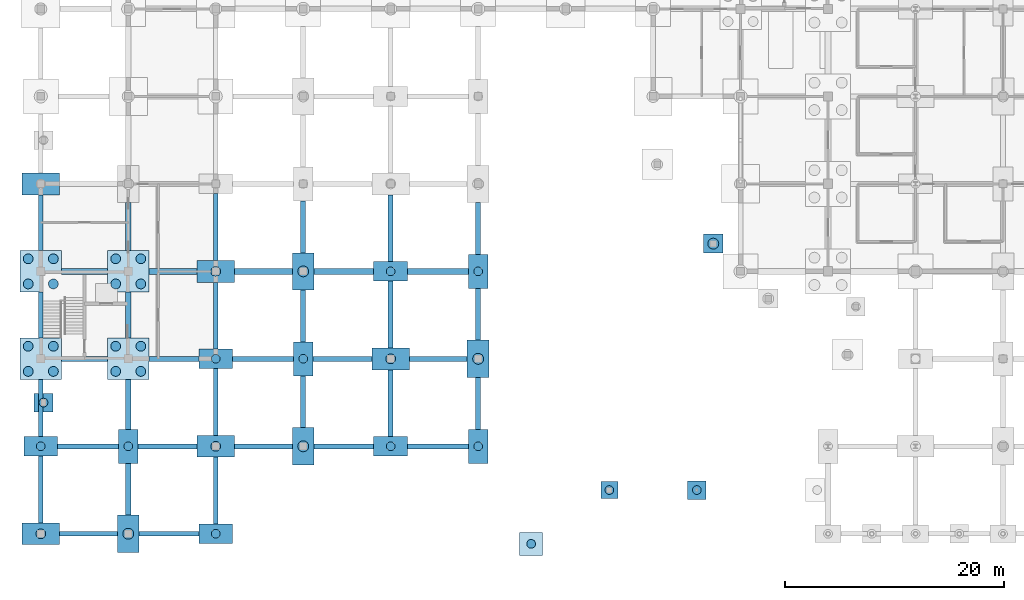
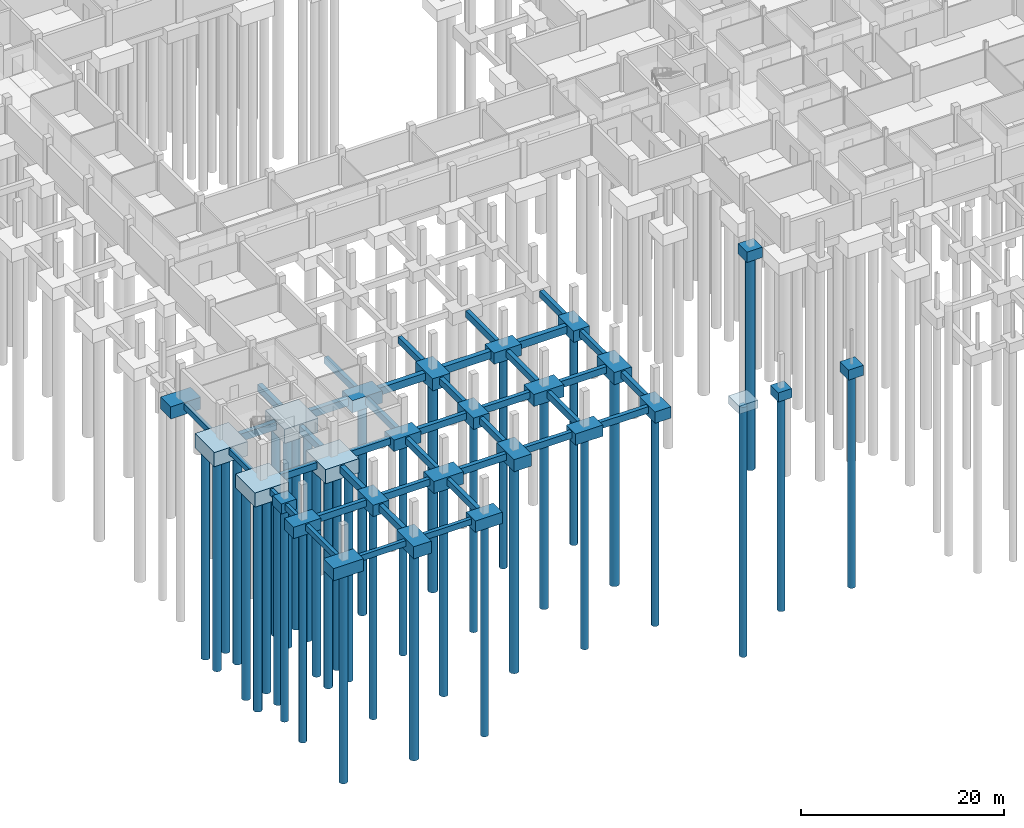
# One storey, part 1 of 48: 65 footings, 38 piles.
"""IFC4 building model written with IfcOpenShell, lengths in metres."""

from ifc_helpers import new_model, si_unit, derived_unit, direction, frame, origin, origin_2d, place, context, subcontext, project, spatial, rectangle, circle, extrude, material, material_profile, profile_set, type_object, element, save


model = new_model("IFC4")

# Units and contexts
model_context = context("Model", 3, precision=1e-05, world=origin(), true_north=direction((0.0, 1.0)))
body_context = subcontext(model_context, "Body", "Model", "MODEL_VIEW")
ifc_project = project(units=[si_unit("LENGTHUNIT", "METRE"), si_unit("AREAUNIT", "SQUARE_METRE"), si_unit("VOLUMEUNIT", "CUBIC_METRE"), si_unit("PLANEANGLEUNIT", "RADIAN"), si_unit("MASSUNIT", "GRAM", prefix="KILO"), derived_unit("THERMALTRANSMITTANCEUNIT", [(si_unit("MASSUNIT", "GRAM", prefix="KILO"), 1), (si_unit("TIMEUNIT", "SECOND"), -3), (si_unit("THERMODYNAMICTEMPERATUREUNIT", "KELVIN"), -1)])], contexts=[model_context])

# Site, building, storey
site_placement = place(None, origin())
site = spatial("IfcSite", under=ifc_project, at=site_placement, CompositionType="ELEMENT")
building_placement = place(site_placement, origin())
building = spatial("IfcBuilding", under=site, at=building_placement, Name="Veyamyaing Civic Hall", CompositionType="ELEMENT")
storey_placement = place(building_placement, frame((0.0, 0.0, -4.2900390625)))
storey = spatial("IfcBuildingStorey", under=building, at=storey_placement, Name="B1", CompositionType="ELEMENT", Elevation=-4.2900390625)

# Footings
ifc_material_1 = material(Name="Concrete C40/50", Category="concrete")
ifc_material_profile_1 = material_profile(ifc_material_1, rectangle(XDim=0.5, YDim=0.85009765625, at=origin_2d()), Name="GB-500X850")
ifc_profile_set_1 = profile_set([ifc_material_profile_1], Name="Concrete C40/50")
footing_type_1 = type_object("IfcFootingType", Name="GB-01", PredefinedType="FOOTING_BEAM", material=ifc_profile_set_1)
footing_1_placement = place(storey_placement, frame((8.0, 1.699951171875, -0.574951171875), z_axis=(0.0, 1.0, 0.0), x_axis=(-1.0, 0.0, 0.0)))
element("IfcFooting", 1, at=footing_1_placement, inside=storey, type_object=footing_type_1, Name="Footing tie beam GB-01 Y 1-0", PredefinedType="FOOTING_BEAM", context=body_context, shape_type="SweptSolid", body=[
    extrude(rectangle(XDim=0.5, YDim=0.85009765625, at=origin_2d()), origin(), (0.0, 0.0, 1.0), 4.75),
])
footing_2_placement = place(storey_placement, frame((8.0, 9.550048828125, -0.574951171875), z_axis=(0.0, 1.0, 0.0), x_axis=(-1.0, 0.0, 0.0)))
element("IfcFooting", 2, at=footing_2_placement, inside=storey, type_object=footing_type_1, Name="Footing tie beam GB-01 Y 1-1", PredefinedType="FOOTING_BEAM", context=body_context, shape_type="SweptSolid", body=[
    extrude(rectangle(XDim=0.5, YDim=0.85009765625, at=origin_2d()), origin(), (0.0, 0.0, 1.0), 4.550048828125),
])
footing_3_placement = place(storey_placement, frame((8.0, 17.89990234375, -0.574951171875), z_axis=(0.0, 1.0, 0.0), x_axis=(-1.0, 0.0, 0.0)))
element("IfcFooting", 3, at=footing_3_placement, inside=storey, type_object=footing_type_1, Name="Footing tie beam GB-01 Y 1-2", PredefinedType="FOOTING_BEAM", context=body_context, shape_type="SweptSolid", body=[
    extrude(rectangle(XDim=0.5, YDim=0.85009765625, at=origin_2d()), origin(), (0.0, 0.0, 1.0), 4.2001953125),
])
footing_4_placement = place(storey_placement, frame((8.0, 25.89990234375, -0.574951171875), z_axis=(0.0, 1.0, 0.0), x_axis=(-1.0, 0.0, 0.0)))
element("IfcFooting", 4, at=footing_4_placement, inside=storey, type_object=footing_type_1, Name="Footing tie beam GB-01 Y 1-3", PredefinedType="FOOTING_BEAM", context=body_context, shape_type="SweptSolid", body=[
    extrude(rectangle(XDim=0.5, YDim=0.85009765625, at=origin_2d()), origin(), (0.0, 0.0, 1.0), 4.400146484375),
])
ifc_material_profile_2 = material_profile(ifc_material_1, rectangle(XDim=0.449951171875, YDim=0.800048828125, at=origin_2d()), Name="GB-450X800")
ifc_profile_set_2 = profile_set([ifc_material_profile_2], Name="Concrete C40/50")
footing_type_2 = type_object("IfcFootingType", Name="GB-02", PredefinedType="FOOTING_BEAM", material=ifc_profile_set_2)
footing_5_placement = place(storey_placement, frame((1.550048828125, 8.0, -0.550048828125), z_axis=(1.0, 0.0, 0.0), x_axis=(0.0, 1.0, 0.0)))
element("IfcFooting", 5, at=footing_5_placement, inside=storey, type_object=footing_type_2, Name="Footing tie beam GB-02 X 0-1", PredefinedType="FOOTING_BEAM", context=body_context, shape_type="SweptSolid", body=[
    extrude(rectangle(XDim=0.449951171875, YDim=0.800048828125, at=origin_2d()), origin(), (0.0, 0.0, 1.0), 5.550048828125),
])
footing_6_placement = place(storey_placement, frame((1.89990234375, 16.0, -0.550048828125), z_axis=(1.0, 0.0, 0.0), x_axis=(0.0, 1.0, 0.0)))
element("IfcFooting", 6, at=footing_6_placement, inside=storey, type_object=footing_type_2, Name="Footing tie beam GB-02 X 0-2", PredefinedType="FOOTING_BEAM", context=body_context, shape_type="SweptSolid", body=[
    extrude(rectangle(XDim=0.449951171875, YDim=0.800048828125, at=origin_2d()), origin(), (0.0, 0.0, 1.0), 4.2001953125),
])
footing_7_placement = place(storey_placement, frame((8.89990234375, 8.0, -0.550048828125), z_axis=(1.0, 0.0, 0.0), x_axis=(0.0, 1.0, 0.0)))
element("IfcFooting", 7, at=footing_7_placement, inside=storey, type_object=footing_type_2, Name="Footing tie beam GB-02 X 1-1", PredefinedType="FOOTING_BEAM", context=body_context, shape_type="SweptSolid", body=[
    extrude(rectangle(XDim=0.449951171875, YDim=0.800048828125, at=origin_2d()), origin(), (0.0, 0.0, 1.0), 5.400146484375),
])
footing_8_placement = place(storey_placement, frame((9.89990234375, 16.0, -0.550048828125), z_axis=(1.0, 0.0, 0.0), x_axis=(0.0, 1.0, 0.0)))
element("IfcFooting", 8, at=footing_8_placement, inside=storey, type_object=footing_type_2, Name="Footing tie beam GB-02 X 1-2", PredefinedType="FOOTING_BEAM", context=body_context, shape_type="SweptSolid", body=[
    extrude(rectangle(XDim=0.449951171875, YDim=0.800048828125, at=origin_2d()), origin(), (0.0, 0.0, 1.0), 4.550048828125),
])
footing_9_placement = place(storey_placement, frame((16.0, 0.89990234375, -0.550048828125), z_axis=(0.0, 1.0, 0.0), x_axis=(-1.0, 0.0, 0.0)))
element("IfcFooting", 9, at=footing_9_placement, inside=storey, type_object=footing_type_2, Name="Footing tie beam GB-02 Y 2-0", PredefinedType="FOOTING_BEAM", context=body_context, shape_type="SweptSolid", body=[
    extrude(rectangle(XDim=0.449951171875, YDim=0.800048828125, at=origin_2d()), origin(), (0.0, 0.0, 1.0), 6.10009765625),
])
footing_10_placement = place(storey_placement, frame((17.699951171875, 8.0, -0.550048828125), z_axis=(1.0, 0.0, 0.0), x_axis=(0.0, 1.0, 0.0)))
element("IfcFooting", 10, at=footing_10_placement, inside=storey, type_object=footing_type_2, Name="Footing tie beam GB-02 X 2-1", PredefinedType="FOOTING_BEAM", context=body_context, shape_type="SweptSolid", body=[
    extrude(rectangle(XDim=0.449951171875, YDim=0.800048828125, at=origin_2d()), origin(), (0.0, 0.0, 1.0), 5.300048828125),
])
footing_11_placement = place(storey_placement, frame((16.0, 9.0, -0.550048828125), z_axis=(0.0, 1.0, 0.0), x_axis=(-1.0, 0.0, 0.0)))
element("IfcFooting", 11, at=footing_11_placement, inside=storey, type_object=footing_type_2, Name="Footing tie beam GB-02 Y 2-1", PredefinedType="FOOTING_BEAM", context=body_context, shape_type="SweptSolid", body=[
    extrude(rectangle(XDim=0.449951171875, YDim=0.800048828125, at=origin_2d()), origin(), (0.0, 0.0, 1.0), 6.10009765625),
])
footing_12_placement = place(storey_placement, frame((17.550048828125, 16.0, -0.550048828125), z_axis=(1.0, 0.0, 0.0), x_axis=(0.0, 1.0, 0.0)))
element("IfcFooting", 12, at=footing_12_placement, inside=storey, type_object=footing_type_2, Name="Footing tie beam GB-02 X 2-2", PredefinedType="FOOTING_BEAM", context=body_context, shape_type="SweptSolid", body=[
    extrude(rectangle(XDim=0.449951171875, YDim=0.800048828125, at=origin_2d()), origin(), (0.0, 0.0, 1.0), 5.550048828125),
])
for number, where, z_axis, x_axis, name in (
    (13, (16.0, 16.89990234375, -0.550048828125), (0.0, 1.0, 0.0), (-1.0, 0.0, 0.0), "Footing tie beam GB-02 Y 2-2"),
    (14, (16.0, 25.0, -0.550048828125), (0.0, 1.0, 0.0), (-1.0, 0.0, 0.0), "Footing tie beam GB-02 Y 2-3"),
):
    element("IfcFooting", number, at=place(storey_placement, frame(where, z_axis=z_axis, x_axis=x_axis)), inside=storey, type_object=footing_type_2, Name=name, PredefinedType="FOOTING_BEAM", context=body_context, shape_type="SweptSolid", body=[
        extrude(rectangle(XDim=0.449951171875, YDim=0.800048828125, at=origin_2d()), origin(), (0.0, 0.0, 1.0), 6.10009765625),
    ])
footing_13_placement = place(storey_placement, frame((25.0, 8.0, -0.550048828125), z_axis=(1.0, 0.0, 0.0), x_axis=(0.0, 1.0, 0.0)))
element("IfcFooting", 15, at=footing_13_placement, inside=storey, type_object=footing_type_2, Name="Footing tie beam GB-02 X 3-1", PredefinedType="FOOTING_BEAM", context=body_context, shape_type="SweptSolid", body=[
    extrude(rectangle(XDim=0.449951171875, YDim=0.800048828125, at=origin_2d()), origin(), (0.0, 0.0, 1.0), 5.449951171875),
])
footing_14_placement = place(storey_placement, frame((24.0, 9.699951171875, -0.550048828125), z_axis=(0.0, 1.0, 0.0), x_axis=(-1.0, 0.0, 0.0)))
element("IfcFooting", 16, at=footing_14_placement, inside=storey, type_object=footing_type_2, Name="Footing tie beam GB-02 Y 3-1", PredefinedType="FOOTING_BEAM", context=body_context, shape_type="SweptSolid", body=[
    extrude(rectangle(XDim=0.449951171875, YDim=0.800048828125, at=origin_2d()), origin(), (0.0, 0.0, 1.0), 4.75),
])
footing_15_placement = place(storey_placement, frame((24.89990234375, 16.0, -0.550048828125), z_axis=(1.0, 0.0, 0.0), x_axis=(0.0, 1.0, 0.0)))
element("IfcFooting", 17, at=footing_15_placement, inside=storey, type_object=footing_type_2, Name="Footing tie beam GB-02 X 3-2", PredefinedType="FOOTING_BEAM", context=body_context, shape_type="SweptSolid", body=[
    extrude(rectangle(XDim=0.449951171875, YDim=0.800048828125, at=origin_2d()), origin(), (0.0, 0.0, 1.0), 5.400146484375),
])
for number, where, z_axis, x_axis, name in (
    (18, (24.0, 17.550048828125, -0.550048828125), (0.0, 1.0, 0.0), (-1.0, 0.0, 0.0), "Footing tie beam GB-02 Y 3-2"),
    (19, (24.0, 25.699951171875, -0.550048828125), (0.0, 1.0, 0.0), (-1.0, 0.0, 0.0), "Footing tie beam GB-02 Y 3-3"),
):
    element("IfcFooting", number, at=place(storey_placement, frame(where, z_axis=z_axis, x_axis=x_axis)), inside=storey, type_object=footing_type_2, Name=name, PredefinedType="FOOTING_BEAM", context=body_context, shape_type="SweptSolid", body=[
        extrude(rectangle(XDim=0.449951171875, YDim=0.800048828125, at=origin_2d()), origin(), (0.0, 0.0, 1.0), 4.75),
    ])
footing_16_placement = place(storey_placement, frame((33.550048828125, 8.0, -0.550048828125), z_axis=(1.0, 0.0, 0.0), x_axis=(0.0, 1.0, 0.0)))
element("IfcFooting", 20, at=footing_16_placement, inside=storey, type_object=footing_type_2, Name="Footing tie beam GB-02 X 4-1", PredefinedType="FOOTING_BEAM", context=body_context, shape_type="SweptSolid", body=[
    extrude(rectangle(XDim=0.449951171875, YDim=0.800048828125, at=origin_2d()), origin(), (0.0, 0.0, 1.0), 5.550048828125),
])
footing_17_placement = place(storey_placement, frame((32.0, 8.89990234375, -0.550048828125), z_axis=(0.0, 1.0, 0.0), x_axis=(-1.0, 0.0, 0.0)))
element("IfcFooting", 21, at=footing_17_placement, inside=storey, type_object=footing_type_2, Name="Footing tie beam GB-02 Y 4-1", PredefinedType="FOOTING_BEAM", context=body_context, shape_type="SweptSolid", body=[
    extrude(rectangle(XDim=0.449951171875, YDim=0.800048828125, at=origin_2d()), origin(), (0.0, 0.0, 1.0), 6.10009765625),
])
footing_18_placement = place(storey_placement, frame((33.699951171875, 16.0, -0.550048828125), z_axis=(1.0, 0.0, 0.0), x_axis=(0.0, 1.0, 0.0)))
element("IfcFooting", 22, at=footing_18_placement, inside=storey, type_object=footing_type_2, Name="Footing tie beam GB-02 X 4-2", PredefinedType="FOOTING_BEAM", context=body_context, shape_type="SweptSolid", body=[
    extrude(rectangle(XDim=0.449951171875, YDim=0.800048828125, at=origin_2d()), origin(), (0.0, 0.0, 1.0), 5.300048828125),
])
for number, where, z_axis, x_axis, name in (
    (23, (32.0, 17.0, -0.550048828125), (0.0, 1.0, 0.0), (-1.0, 0.0, 0.0), "Footing tie beam GB-02 Y 4-2"),
    (24, (32.0, 24.89990234375, -0.550048828125), (0.0, 1.0, 0.0), (-1.0, 0.0, 0.0), "Footing tie beam GB-02 Y 4-3"),
):
    element("IfcFooting", number, at=place(storey_placement, frame(where, z_axis=z_axis, x_axis=x_axis)), inside=storey, type_object=footing_type_2, Name=name, PredefinedType="FOOTING_BEAM", context=body_context, shape_type="SweptSolid", body=[
        extrude(rectangle(XDim=0.449951171875, YDim=0.800048828125, at=origin_2d()), origin(), (0.0, 0.0, 1.0), 6.10009765625),
    ])
for number, where, z_axis, x_axis, name in (
    (25, (40.0, 9.550048828125, -0.550048828125), (0.0, 1.0, 0.0), (-1.0, 0.0, 0.0), "Footing tie beam GB-02 Y 5-1"),
    (26, (40.0, 17.699951171875, -0.550048828125), (0.0, 1.0, 0.0), (-1.0, 0.0, 0.0), "Footing tie beam GB-02 Y 5-2"),
    (27, (40.0, 25.550048828125, -0.550048828125), (0.0, 1.0, 0.0), (-1.0, 0.0, 0.0), "Footing tie beam GB-02 Y 5-3"),
):
    element("IfcFooting", number, at=place(storey_placement, frame(where, z_axis=z_axis, x_axis=x_axis)), inside=storey, type_object=footing_type_2, Name=name, PredefinedType="FOOTING_BEAM", context=body_context, shape_type="SweptSolid", body=[
        extrude(rectangle(XDim=0.449951171875, YDim=0.800048828125, at=origin_2d()), origin(), (0.0, 0.0, 1.0), 4.75),
    ])
ifc_material_profile_3 = material_profile(ifc_material_1, rectangle(XDim=0.39990234375, YDim=0.699951171875, at=origin_2d()), Name="GB-400X700")
ifc_profile_set_3 = profile_set([ifc_material_profile_3], Name="Concrete C40/50")
footing_type_3 = type_object("IfcFootingType", Name="GB-03", PredefinedType="FOOTING_BEAM", material=ifc_profile_set_3)
footing_19_placement = place(storey_placement, frame((1.699951171875, 0.0, -0.5), z_axis=(1.0, 0.0, 0.0), x_axis=(0.0, 1.0, 0.0)))
element("IfcFooting", 28, at=footing_19_placement, inside=storey, type_object=footing_type_3, Name="Footing tie beam GB-03 X 0-0", PredefinedType="FOOTING_BEAM", context=body_context, shape_type="SweptSolid", body=[
    extrude(rectangle(XDim=0.39990234375, YDim=0.699951171875, at=origin_2d()), origin(), (0.0, 0.0, 1.0), 5.300048828125),
])
footing_20_placement = place(storey_placement, frame((0.0, 1.0, -0.5), z_axis=(0.0, 1.0, 0.0), x_axis=(-1.0, 0.0, 0.0)))
element("IfcFooting", 29, at=footing_20_placement, inside=storey, type_object=footing_type_3, Name="Footing tie beam GB-03 Y 0-0", PredefinedType="FOOTING_BEAM", context=body_context, shape_type="SweptSolid", body=[
    extrude(rectangle(XDim=0.39990234375, YDim=0.699951171875, at=origin_2d()), origin(), (0.0, 0.0, 1.0), 6.10009765625),
])
footing_21_placement = place(storey_placement, frame((0.0, 8.89990234375, -0.5), z_axis=(0.0, 1.0, 0.0), x_axis=(-1.0, 0.0, 0.0)))
element("IfcFooting", 30, at=footing_21_placement, inside=storey, type_object=footing_type_3, Name="Footing tie beam GB-03 Y 0-1", PredefinedType="FOOTING_BEAM", context=body_context, shape_type="SweptSolid", body=[
    extrude(rectangle(XDim=0.39990234375, YDim=0.699951171875, at=origin_2d()), origin(), (0.0, 0.0, 1.0), 5.2001953125),
])
footing_22_placement = place(storey_placement, frame((0.0, 17.89990234375, -0.5), z_axis=(0.0, 1.0, 0.0), x_axis=(-1.0, 0.0, 0.0)))
element("IfcFooting", 31, at=footing_22_placement, inside=storey, type_object=footing_type_3, Name="Footing tie beam GB-03 Y 0-2", PredefinedType="FOOTING_BEAM", context=body_context, shape_type="SweptSolid", body=[
    extrude(rectangle(XDim=0.39990234375, YDim=0.699951171875, at=origin_2d()), origin(), (0.0, 0.0, 1.0), 4.2001953125),
])
footing_23_placement = place(storey_placement, frame((0.0, 25.89990234375, -0.5), z_axis=(0.0, 1.0, 0.0), x_axis=(-1.0, 0.0, 0.0)))
element("IfcFooting", 32, at=footing_23_placement, inside=storey, type_object=footing_type_3, Name="Footing tie beam GB-03 Y 0-3", PredefinedType="FOOTING_BEAM", context=body_context, shape_type="SweptSolid", body=[
    extrude(rectangle(XDim=0.39990234375, YDim=0.699951171875, at=origin_2d()), origin(), (0.0, 0.0, 1.0), 5.10009765625),
])
footing_24_placement = place(storey_placement, frame((9.0, 0.0, -0.5), z_axis=(1.0, 0.0, 0.0), x_axis=(0.0, 1.0, 0.0)))
element("IfcFooting", 33, at=footing_24_placement, inside=storey, type_object=footing_type_3, Name="Footing tie beam GB-03 X 1-0", PredefinedType="FOOTING_BEAM", context=body_context, shape_type="SweptSolid", body=[
    extrude(rectangle(XDim=0.39990234375, YDim=0.699951171875, at=origin_2d()), origin(), (0.0, 0.0, 1.0), 5.449951171875),
])
ifc_material_profile_4 = material_profile(ifc_material_1, rectangle(XDim=0.550048828125, YDim=0.89990234375, at=origin_2d()), Name="GB-550X900")
ifc_profile_set_4 = profile_set([ifc_material_profile_4], Name="Concrete C40/50")
footing_type_4 = type_object("IfcFootingType", Name="GB-04", PredefinedType="FOOTING_BEAM", material=ifc_profile_set_4)
footing_25_placement = place(storey_placement, frame((1.89990234375, 24.0, -0.599853515625), z_axis=(1.0, 0.0, 0.0), x_axis=(0.0, 1.0, 0.0)))
element("IfcFooting", 34, at=footing_25_placement, inside=storey, type_object=footing_type_4, Name="Footing tie beam GB-04 X 0-3", PredefinedType="FOOTING_BEAM", context=body_context, shape_type="SweptSolid", body=[
    extrude(rectangle(XDim=0.550048828125, YDim=0.89990234375, at=origin_2d()), origin(), (0.0, 0.0, 1.0), 4.2001953125),
])
footing_26_placement = place(storey_placement, frame((9.89990234375, 24.0, -0.599853515625), z_axis=(1.0, 0.0, 0.0), x_axis=(0.0, 1.0, 0.0)))
element("IfcFooting", 35, at=footing_26_placement, inside=storey, type_object=footing_type_4, Name="Footing tie beam GB-04 X 1-3", PredefinedType="FOOTING_BEAM", context=body_context, shape_type="SweptSolid", body=[
    extrude(rectangle(XDim=0.550048828125, YDim=0.89990234375, at=origin_2d()), origin(), (0.0, 0.0, 1.0), 4.400146484375),
])
footing_27_placement = place(storey_placement, frame((17.699951171875, 24.0, -0.599853515625), z_axis=(1.0, 0.0, 0.0), x_axis=(0.0, 1.0, 0.0)))
element("IfcFooting", 36, at=footing_27_placement, inside=storey, type_object=footing_type_4, Name="Footing tie beam GB-04 X 2-3", PredefinedType="FOOTING_BEAM", context=body_context, shape_type="SweptSolid", body=[
    extrude(rectangle(XDim=0.550048828125, YDim=0.89990234375, at=origin_2d()), origin(), (0.0, 0.0, 1.0), 5.300048828125),
])
footing_28_placement = place(storey_placement, frame((25.0, 24.0, -0.599853515625), z_axis=(1.0, 0.0, 0.0), x_axis=(0.0, 1.0, 0.0)))
element("IfcFooting", 37, at=footing_28_placement, inside=storey, type_object=footing_type_4, Name="Footing tie beam GB-04 X 3-3", PredefinedType="FOOTING_BEAM", context=body_context, shape_type="SweptSolid", body=[
    extrude(rectangle(XDim=0.550048828125, YDim=0.89990234375, at=origin_2d()), origin(), (0.0, 0.0, 1.0), 5.449951171875),
])
footing_29_placement = place(storey_placement, frame((33.550048828125, 24.0, -0.599853515625), z_axis=(1.0, 0.0, 0.0), x_axis=(0.0, 1.0, 0.0)))
element("IfcFooting", 38, at=footing_29_placement, inside=storey, type_object=footing_type_4, Name="Footing tie beam GB-04 X 4-3", PredefinedType="FOOTING_BEAM", context=body_context, shape_type="SweptSolid", body=[
    extrude(rectangle(XDim=0.550048828125, YDim=0.89990234375, at=origin_2d()), origin(), (0.0, 0.0, 1.0), 5.550048828125),
])

# Piles
ifc_material_2 = material(Name="Concrete C35/45", Category="concrete")
ifc_material_profile_5 = material_profile(ifc_material_2, circle(Radius=0.5, at=origin_2d()), Name="PILE-D1000")
ifc_profile_set_5 = profile_set([ifc_material_profile_5], Name="Concrete C35/45")
pile_type_1 = type_object("IfcPileType", Name="P-03", PredefinedType="BORED", material=ifc_profile_set_5)
for number, where, z_axis, x_axis, name in (
    (39, (8.0, 0.0, -1.349853515625), (0.0, 0.0, -1.0), (1.0, 0.0, 0.0), "Bored pile P-03 G01-00.1"),
    (40, (24.0, 8.0, -1.349853515625), (0.0, 0.0, -1.0), (1.0, 0.0, 0.0), "Bored pile P-03 G03-01.1"),
    (41, (24.0, 24.0, -1.349853515625), (0.0, 0.0, -1.0), (1.0, 0.0, 0.0), "Bored pile P-03 G03-03.1"),
    (42, (40.0, 16.0, -1.349853515625), (0.0, 0.0, -1.0), (1.0, 0.0, 0.0), "Bored pile P-03 G05-02.1"),
):
    element("IfcPile", number, at=place(storey_placement, frame(where, z_axis=z_axis, x_axis=x_axis)), inside=storey, type_object=pile_type_1, Name=name, PredefinedType="BORED", context=body_context, shape_type="SweptSolid", body=[
        extrude(circle(Radius=0.5, at=origin_2d()), origin(), (0.0, 0.0, 1.0), 25.360107421875),
    ])
pile_1_placement = place(storey_placement, frame((61.5048828125, 26.533447265625, -1.14990234375), z_axis=(0.0, 0.0, -1.0), x_axis=(1.0, 0.0, 0.0)))
element("IfcPile", 43, at=pile_1_placement, inside=storey, type_object=pile_type_1, Name="Bored pile P-03 ARC-SW-05.1", PredefinedType="BORED", context=body_context, shape_type="SweptSolid", body=[
    extrude(circle(Radius=0.5, at=origin_2d()), origin(), (0.0, 0.0, 1.0), 25.56005859375),
])
ifc_material_profile_6 = material_profile(ifc_material_2, circle(Radius=0.449951171875, at=origin_2d()), Name="PILE-D900")
ifc_profile_set_6 = profile_set([ifc_material_profile_6], Name="Concrete C35/45")
pile_type_2 = type_object("IfcPileType", Name="P-04", PredefinedType="BORED", material=ifc_profile_set_6)
pile_2_placement = place(storey_placement, frame((0.0, 0.0, -1.349853515625), z_axis=(0.0, 0.0, -1.0), x_axis=(1.0, 0.0, 0.0)))
element("IfcPile", 44, at=pile_2_placement, inside=storey, type_object=pile_type_2, Name="Bored pile P-04 G00-00.1", PredefinedType="BORED", context=body_context, shape_type="SweptSolid", body=[
    extrude(circle(Radius=0.449951171875, at=origin_2d()), origin(), (0.0, 0.0, 1.0), 25.360107421875),
])
for number, where, z_axis, x_axis, name in (
    (45, (-1.14990234375, 14.85009765625, -1.599853515625), (0.0, 0.0, -1.0), (1.0, 0.0, 0.0), "Bored pile P-04 G00-02.1"),
    (46, (-1.14990234375, 17.14990234375, -1.599853515625), (0.0, 0.0, -1.0), (1.0, 0.0, 0.0), "Bored pile P-04 G00-02.2"),
    (47, (1.14990234375, 14.85009765625, -1.599853515625), (0.0, 0.0, -1.0), (1.0, 0.0, 0.0), "Bored pile P-04 G00-02.3"),
    (48, (1.14990234375, 17.14990234375, -1.599853515625), (0.0, 0.0, -1.0), (1.0, 0.0, 0.0), "Bored pile P-04 G00-02.4"),
    (49, (-1.14990234375, 22.85009765625, -1.599853515625), (0.0, 0.0, -1.0), (1.0, 0.0, 0.0), "Bored pile P-04 G00-03.1"),
    (50, (-1.14990234375, 25.14990234375, -1.599853515625), (0.0, 0.0, -1.0), (1.0, 0.0, 0.0), "Bored pile P-04 G00-03.2"),
    (51, (1.14990234375, 22.85009765625, -1.599853515625), (0.0, 0.0, -1.0), (1.0, 0.0, 0.0), "Bored pile P-04 G00-03.3"),
    (52, (1.14990234375, 25.14990234375, -1.599853515625), (0.0, 0.0, -1.0), (1.0, 0.0, 0.0), "Bored pile P-04 G00-03.4"),
    (53, (6.85009765625, 14.85009765625, -1.599853515625), (0.0, 0.0, -1.0), (1.0, 0.0, 0.0), "Bored pile P-04 G01-02.1"),
    (54, (6.85009765625, 17.14990234375, -1.599853515625), (0.0, 0.0, -1.0), (1.0, 0.0, 0.0), "Bored pile P-04 G01-02.2"),
    (55, (9.14990234375, 14.85009765625, -1.599853515625), (0.0, 0.0, -1.0), (1.0, 0.0, 0.0), "Bored pile P-04 G01-02.3"),
    (56, (9.14990234375, 17.14990234375, -1.599853515625), (0.0, 0.0, -1.0), (1.0, 0.0, 0.0), "Bored pile P-04 G01-02.4"),
    (57, (6.85009765625, 22.85009765625, -1.599853515625), (0.0, 0.0, -1.0), (1.0, 0.0, 0.0), "Bored pile P-04 G01-03.1"),
    (58, (6.85009765625, 25.14990234375, -1.599853515625), (0.0, 0.0, -1.0), (1.0, 0.0, 0.0), "Bored pile P-04 G01-03.2"),
    (59, (9.14990234375, 22.85009765625, -1.599853515625), (0.0, 0.0, -1.0), (1.0, 0.0, 0.0), "Bored pile P-04 G01-03.3"),
    (60, (9.14990234375, 25.14990234375, -1.599853515625), (0.0, 0.0, -1.0), (1.0, 0.0, 0.0), "Bored pile P-04 G01-03.4"),
):
    element("IfcPile", number, at=place(storey_placement, frame(where, z_axis=z_axis, x_axis=x_axis)), inside=storey, type_object=pile_type_2, Name=name, PredefinedType="BORED", context=body_context, shape_type="SweptSolid", body=[
        extrude(circle(Radius=0.449951171875, at=origin_2d()), origin(), (0.0, 0.0, 1.0), 25.110107421875),
    ])
for number, where, z_axis, x_axis, name in (
    (61, (16.0, 8.0, -1.349853515625), (0.0, 0.0, -1.0), (1.0, 0.0, 0.0), "Bored pile P-04 G02-01.1"),
    (62, (16.0, 24.0, -1.349853515625), (0.0, 0.0, -1.0), (1.0, 0.0, 0.0), "Bored pile P-04 G02-03.1"),
    (63, (32.0, 16.0, -1.349853515625), (0.0, 0.0, -1.0), (1.0, 0.0, 0.0), "Bored pile P-04 G04-02.1"),
):
    element("IfcPile", number, at=place(storey_placement, frame(where, z_axis=z_axis, x_axis=x_axis)), inside=storey, type_object=pile_type_2, Name=name, PredefinedType="BORED", context=body_context, shape_type="SweptSolid", body=[
        extrude(circle(Radius=0.449951171875, at=origin_2d()), origin(), (0.0, 0.0, 1.0), 25.360107421875),
    ])
ifc_material_profile_7 = material_profile(ifc_material_2, circle(Radius=0.39990234375, at=origin_2d()), Name="PILE-D800")
ifc_profile_set_7 = profile_set([ifc_material_profile_7], Name="Concrete C35/45")
pile_type_3 = type_object("IfcPileType", Name="P-05", PredefinedType="BORED", material=ifc_profile_set_7)
for number, where, z_axis, x_axis, name in (
    (64, (0.0, 8.0, -1.25), (0.0, 0.0, -1.0), (1.0, 0.0, 0.0), "Bored pile P-05 G00-01.1"),
    (65, (8.0, 8.0, -1.25), (0.0, 0.0, -1.0), (1.0, 0.0, 0.0), "Bored pile P-05 G01-01.1"),
    (66, (16.0, 0.0, -1.25), (0.0, 0.0, -1.0), (1.0, 0.0, 0.0), "Bored pile P-05 G02-00.1"),
    (67, (16.0, 16.0, -1.25), (0.0, 0.0, -1.0), (1.0, 0.0, 0.0), "Bored pile P-05 G02-02.1"),
    (68, (24.0, 16.0, -1.25), (0.0, 0.0, -1.0), (1.0, 0.0, 0.0), "Bored pile P-05 G03-02.1"),
    (69, (32.0, 8.0, -1.25), (0.0, 0.0, -1.0), (1.0, 0.0, 0.0), "Bored pile P-05 G04-01.1"),
    (70, (32.0, 24.0, -1.25), (0.0, 0.0, -1.0), (1.0, 0.0, 0.0), "Bored pile P-05 G04-03.1"),
    (71, (40.0, 8.0, -1.25), (0.0, 0.0, -1.0), (1.0, 0.0, 0.0), "Bored pile P-05 G05-01.1"),
    (72, (40.0, 24.0, -1.25), (0.0, 0.0, -1.0), (1.0, 0.0, 0.0), "Bored pile P-05 G05-03.1"),
):
    element("IfcPile", number, at=place(storey_placement, frame(where, z_axis=z_axis, x_axis=x_axis)), inside=storey, type_object=pile_type_3, Name=name, PredefinedType="BORED", context=body_context, shape_type="SweptSolid", body=[
        extrude(circle(Radius=0.39990234375, at=origin_2d()), origin(), (0.0, 0.0, 1.0), 25.4599609375),
    ])
pile_3_placement = place(storey_placement, frame((0.25, 12.0, -1.099853515625), z_axis=(0.0, 0.0, -1.0), x_axis=(1.0, 0.0, 0.0)))
element("IfcPile", 73, at=pile_3_placement, inside=storey, type_object=pile_type_3, Name="Bored pile P-05 PIL-W-01.1", PredefinedType="BORED", context=body_context, shape_type="SweptSolid", body=[
    extrude(circle(Radius=0.39990234375, at=origin_2d()), origin(), (0.0, 0.0, 1.0), 25.610107421875),
])
pile_4_placement = place(storey_placement, frame((52.0, 4.0, -1.0), z_axis=(0.0, 0.0, -1.0), x_axis=(1.0, 0.0, 0.0)))
element("IfcPile", 74, at=pile_4_placement, inside=storey, type_object=pile_type_3, Name="Bored pile P-05 APR-SW.1", PredefinedType="BORED", context=body_context, shape_type="SweptSolid", body=[
    extrude(circle(Radius=0.39990234375, at=origin_2d()), origin(), (0.0, 0.0, 1.0), 25.7099609375),
])
pile_5_placement = place(storey_placement, frame((44.85009765625, -0.919921875, 3.300048828125), z_axis=(0.0, 0.0, -1.0), x_axis=(1.0, 0.0, 0.0)))
element("IfcPile", 75, at=pile_5_placement, inside=storey, type_object=pile_type_3, Name="Bored pile P-05 RMP-SW.1", PredefinedType="BORED", context=body_context, shape_type="SweptSolid", body=[
    extrude(circle(Radius=0.39990234375, at=origin_2d()), origin(), (0.0, 0.0, 1.0), 30.010009765625),
])
pile_6_placement = place(storey_placement, frame((60.0, 4.0, -1.099853515625), z_axis=(0.0, 0.0, -1.0), x_axis=(1.0, 0.0, 0.0)))
element("IfcPile", 76, at=pile_6_placement, inside=storey, type_object=pile_type_3, Name="Bored pile P-05 FC-SW.1", PredefinedType="BORED", context=body_context, shape_type="SweptSolid", body=[
    extrude(circle(Radius=0.39990234375, at=origin_2d()), origin(), (0.0, 0.0, 1.0), 25.610107421875),
])

# Footings
footing_type_5 = type_object("IfcFootingType", Name="PC-01", PredefinedType="PILE_CAP", material=ifc_material_1)
for number, where, z_axis, x_axis, name in (
    (77, (0.0, 16.0, -1.69970703125), (0.0, 0.0, 1.0), (1.0, 0.0, 0.0), "Pile cap PC-01 G00-02"),
    (78, (0.0, 24.0, -1.69970703125), (0.0, 0.0, 1.0), (1.0, 0.0, 0.0), "Pile cap PC-01 G00-03"),
    (79, (8.0, 16.0, -1.69970703125), (0.0, 0.0, 1.0), (1.0, 0.0, 0.0), "Pile cap PC-01 G01-02"),
    (80, (8.0, 24.0, -1.69970703125), (0.0, 0.0, 1.0), (1.0, 0.0, 0.0), "Pile cap PC-01 G01-03"),
):
    element("IfcFooting", number, at=place(storey_placement, frame(where, z_axis=z_axis, x_axis=x_axis)), inside=storey, type_object=footing_type_5, Name=name, PredefinedType="PILE_CAP", context=body_context, shape_type="SweptSolid", body=[
        extrude(rectangle(XDim=3.800048828125, YDim=3.800048828125, at=origin_2d()), origin(), (0.0, 0.0, 1.0), 1.699951171875),
    ])
footing_type_6 = type_object("IfcFootingType", Name="PC-04", PredefinedType="PILE_CAP", material=ifc_material_1)
for number, where, z_axis, x_axis, name in (
    (81, (0.0, 0.0, -1.44970703125), (0.0, 0.0, 1.0), (1.0, 0.0, 0.0), "Pile cap PC-04 G00-00"),
    (82, (0.0, 32.0, -1.44970703125), (0.0, 0.0, 1.0), (1.0, 0.0, 0.0), "Pile cap PC-04 G00-04"),
    (83, (16.0, 8.0, -1.44970703125), (0.0, 0.0, 1.0), (1.0, 0.0, 0.0), "Pile cap PC-04 G02-01"),
    (84, (16.0, 24.0, -1.44970703125), (0.0, 0.0, 1.0), (1.0, 0.0, 0.0), "Pile cap PC-04 G02-03"),
    (85, (32.0, 16.0, -1.44970703125), (0.0, 0.0, 1.0), (1.0, 0.0, 0.0), "Pile cap PC-04 G04-02"),
):
    element("IfcFooting", number, at=place(storey_placement, frame(where, z_axis=z_axis, x_axis=x_axis)), inside=storey, type_object=footing_type_6, Name=name, PredefinedType="PILE_CAP", context=body_context, shape_type="SweptSolid", body=[
        extrude(rectangle(XDim=3.39990234375, YDim=2.0, at=origin_2d()), origin(), (0.0, 0.0, 1.0), 1.449951171875),
    ])
footing_type_7 = type_object("IfcFootingType", Name="PC-05", PredefinedType="PILE_CAP", material=ifc_material_1)
for number, where, z_axis, x_axis, name in (
    (86, (8.0, 0.0, -1.44970703125), (0.0, 0.0, 1.0), (1.0, 0.0, 0.0), "Pile cap PC-05 G01-00"),
    (87, (24.0, 8.0, -1.44970703125), (0.0, 0.0, 1.0), (1.0, 0.0, 0.0), "Pile cap PC-05 G03-01"),
    (88, (24.0, 24.0, -1.44970703125), (0.0, 0.0, 1.0), (1.0, 0.0, 0.0), "Pile cap PC-05 G03-03"),
    (89, (40.0, 16.0, -1.44970703125), (0.0, 0.0, 1.0), (1.0, 0.0, 0.0), "Pile cap PC-05 G05-02"),
):
    element("IfcFooting", number, at=place(storey_placement, frame(where, z_axis=z_axis, x_axis=x_axis)), inside=storey, type_object=footing_type_7, Name=name, PredefinedType="PILE_CAP", context=body_context, shape_type="SweptSolid", body=[
        extrude(rectangle(XDim=2.0, YDim=3.39990234375, at=origin_2d()), origin(), (0.0, 0.0, 1.0), 1.449951171875),
    ])
footing_type_8 = type_object("IfcFootingType", Name="PC-06", PredefinedType="PILE_CAP", material=ifc_material_1)
for number, where, z_axis, x_axis, name in (
    (90, (0.0, 8.0, -1.35009765625), (0.0, 0.0, 1.0), (1.0, 0.0, 0.0), "Pile cap PC-06 G00-01"),
    (91, (16.0, 0.0, -1.35009765625), (0.0, 0.0, 1.0), (1.0, 0.0, 0.0), "Pile cap PC-06 G02-00"),
    (92, (16.0, 16.0, -1.35009765625), (0.0, 0.0, 1.0), (1.0, 0.0, 0.0), "Pile cap PC-06 G02-02"),
    (93, (32.0, 8.0, -1.35009765625), (0.0, 0.0, 1.0), (1.0, 0.0, 0.0), "Pile cap PC-06 G04-01"),
    (94, (32.0, 24.0, -1.35009765625), (0.0, 0.0, 1.0), (1.0, 0.0, 0.0), "Pile cap PC-06 G04-03"),
):
    element("IfcFooting", number, at=place(storey_placement, frame(where, z_axis=z_axis, x_axis=x_axis)), inside=storey, type_object=footing_type_8, Name=name, PredefinedType="PILE_CAP", context=body_context, shape_type="SweptSolid", body=[
        extrude(rectangle(XDim=3.10009765625, YDim=1.800048828125, at=origin_2d()), origin(), (0.0, 0.0, 1.0), 1.35009765625),
    ])
footing_type_9 = type_object("IfcFootingType", Name="PC-07", PredefinedType="PILE_CAP", material=ifc_material_1)
for number, where, z_axis, x_axis, name in (
    (95, (8.0, 8.0, -1.35009765625), (0.0, 0.0, 1.0), (1.0, 0.0, 0.0), "Pile cap PC-07 G01-01"),
    (96, (24.0, 16.0, -1.35009765625), (0.0, 0.0, 1.0), (1.0, 0.0, 0.0), "Pile cap PC-07 G03-02"),
    (97, (40.0, 8.0, -1.35009765625), (0.0, 0.0, 1.0), (1.0, 0.0, 0.0), "Pile cap PC-07 G05-01"),
    (98, (40.0, 24.0, -1.35009765625), (0.0, 0.0, 1.0), (1.0, 0.0, 0.0), "Pile cap PC-07 G05-03"),
):
    element("IfcFooting", number, at=place(storey_placement, frame(where, z_axis=z_axis, x_axis=x_axis)), inside=storey, type_object=footing_type_9, Name=name, PredefinedType="PILE_CAP", context=body_context, shape_type="SweptSolid", body=[
        extrude(rectangle(XDim=1.800048828125, YDim=3.10009765625, at=origin_2d()), origin(), (0.0, 0.0, 1.0), 1.35009765625),
    ])
footing_type_10 = type_object("IfcFootingType", Name="PC-10", PredefinedType="PILE_CAP", material=ifc_material_1)
for number, where, z_axis, x_axis, name in (
    (99, (0.25, 12.0, -1.19970703125), (0.0, 0.0, 1.0), (1.0, 0.0, 0.0), "Pile cap PC-10 PIL-W-01"),
    (100, (60.0, 4.0, -1.19970703125), (0.0, 0.0, 1.0), (1.0, 0.0, 0.0), "Pile cap PC-10 FC-SW"),
):
    element("IfcFooting", number, at=place(storey_placement, frame(where, z_axis=z_axis, x_axis=x_axis)), inside=storey, type_object=footing_type_10, Name=name, PredefinedType="PILE_CAP", context=body_context, shape_type="SweptSolid", body=[
        extrude(rectangle(XDim=1.699951171875, YDim=1.699951171875, at=origin_2d()), origin(), (0.0, 0.0, 1.0), 1.199951171875),
    ])
footing_type_11 = type_object("IfcFootingType", Name="PC-13", PredefinedType="PILE_CAP", material=ifc_material_1)
footing_30_placement = place(storey_placement, frame((44.85009765625, -0.919921875, 3.2001953125), z_axis=(0.0, 0.0, 1.0), x_axis=(1.0, 0.0, 0.0)))
element("IfcFooting", 101, at=footing_30_placement, inside=storey, type_object=footing_type_11, Name="Pile cap PC-13 RMP-SW", PredefinedType="PILE_CAP", context=body_context, shape_type="SweptSolid", body=[
    extrude(rectangle(XDim=2.10009765625, YDim=2.10009765625, at=origin_2d()), origin(), (0.0, 0.0, 1.0), 0.949951171875),
])
footing_type_12 = type_object("IfcFootingType", Name="PC-14", PredefinedType="PILE_CAP", material=ifc_material_1)
footing_31_placement = place(storey_placement, frame((52.0, 4.0, -1.10009765625), z_axis=(0.0, 0.0, 1.0), x_axis=(1.0, 0.0, 0.0)))
element("IfcFooting", 102, at=footing_31_placement, inside=storey, type_object=footing_type_12, Name="Pile cap PC-14 APR-SW", PredefinedType="PILE_CAP", context=body_context, shape_type="SweptSolid", body=[
    extrude(rectangle(XDim=1.550048828125, YDim=1.550048828125, at=origin_2d()), origin(), (0.0, 0.0, 1.0), 1.10009765625),
])
footing_type_13 = type_object("IfcFootingType", Name="PC-15", PredefinedType="PILE_CAP", material=ifc_material_1)
footing_32_placement = place(storey_placement, frame((61.5048828125, 26.533447265625, -1.25), z_axis=(0.0, 0.0, 1.0), x_axis=(1.0, 0.0, 0.0)))
element("IfcFooting", 103, at=footing_32_placement, inside=storey, type_object=footing_type_13, Name="Pile cap PC-15 ARC-SW-05", PredefinedType="PILE_CAP", context=body_context, shape_type="SweptSolid", body=[
    extrude(rectangle(XDim=1.75, YDim=1.75, at=origin_2d()), origin(), (0.0, 0.0, 1.0), 1.25),
])

save(model, "model.ifc")
